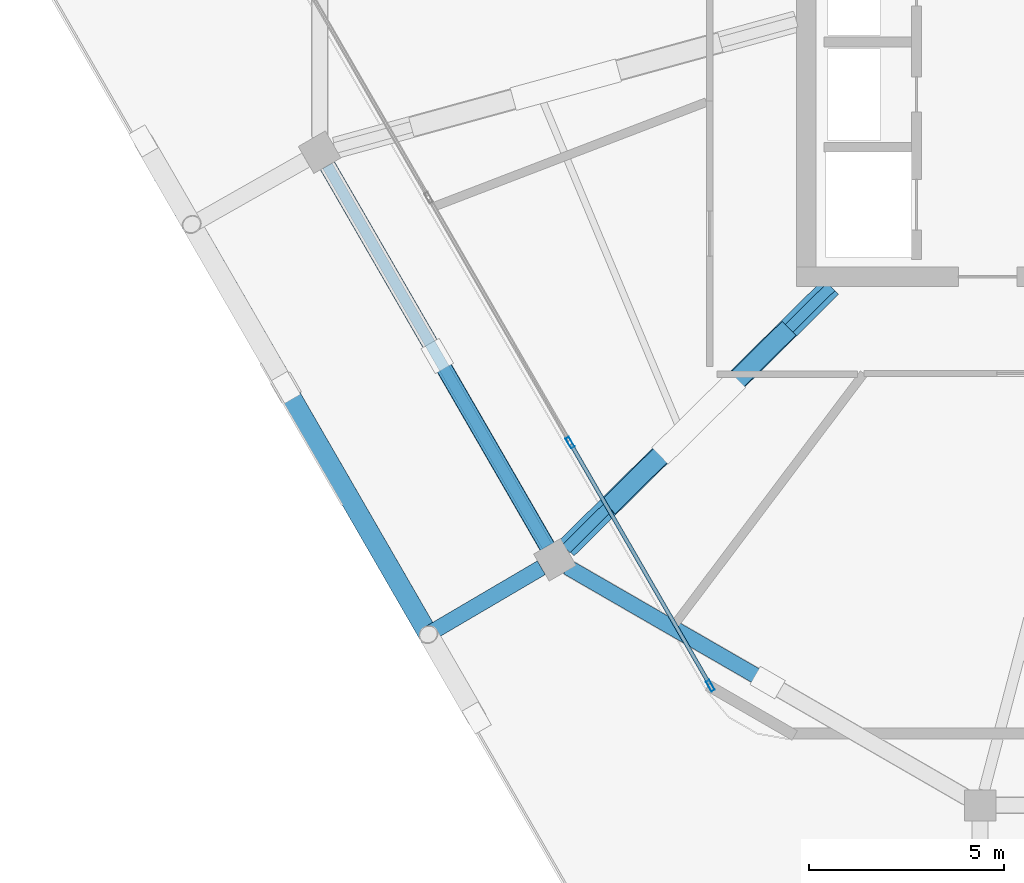
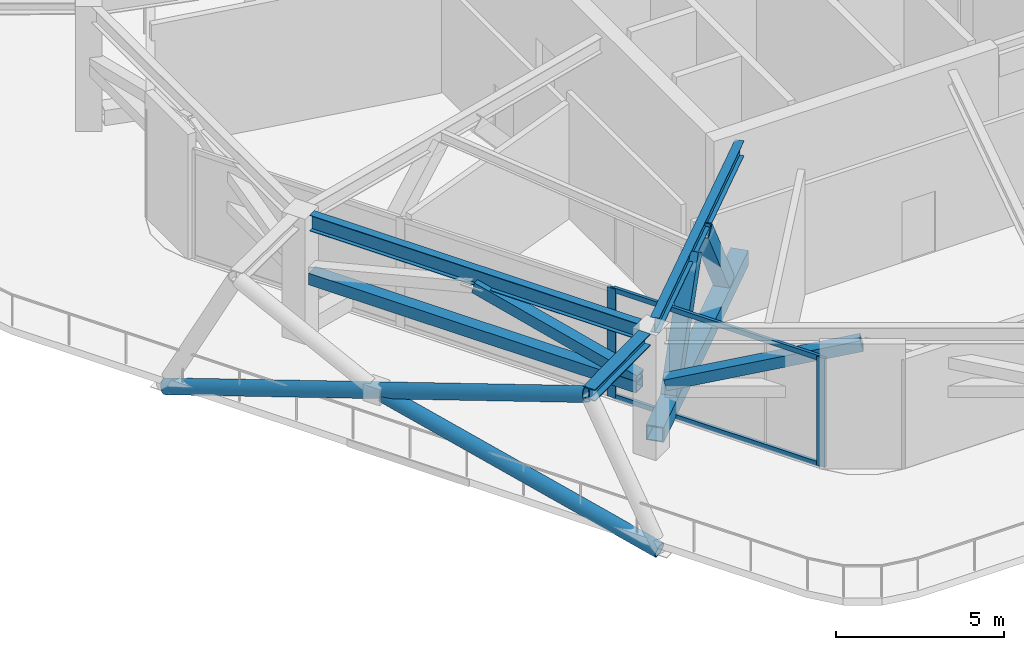
# One storey, part 2 of 19: 12 members, 3 beams, 1 element without a shape of its own.
"""IFC4 building model written with IfcOpenShell, lengths in metres."""

from ifc_helpers import new_model, si_unit, direction, frame, origin, origin_2d, place, context, subcontext, project, spatial, hollow_rectangle, hollow_circle, i_section, extrude, material, material_profile, profile_set, type_object, element, aggregate, save


model = new_model("IFC4")

# Units and contexts
model_context = context("Model", 3, precision=1e-05, world=origin(), true_north=direction((0.0, 1.0)))
body_context = subcontext(model_context, "Body", "Model", "MODEL_VIEW")
ifc_project = project(units=[si_unit("LENGTHUNIT", "METRE"), si_unit("AREAUNIT", "SQUARE_METRE"), si_unit("VOLUMEUNIT", "CUBIC_METRE"), si_unit("PLANEANGLEUNIT", "RADIAN"), si_unit("MASSUNIT", "GRAM", prefix="KILO")], contexts=[model_context])

# Site, building, storey
site_placement = place(None, origin())
site = spatial("IfcSite", under=ifc_project, at=site_placement, CompositionType="ELEMENT")
building_placement = place(site_placement, origin())
building = spatial("IfcBuilding", under=site, at=building_placement, Name="Zuhravey Tower", CompositionType="ELEMENT")
storey_placement = place(building_placement, frame((0.0, 0.0, 303.39990234375)))
storey = spatial("IfcBuildingStorey", under=building, at=storey_placement, Name="L77", CompositionType="ELEMENT", Elevation=303.39990234375)

# Members
ifc_material_1 = material(Name="Steel SM355", Category="steel")
ifc_material_profile_1 = material_profile(ifc_material_1, hollow_rectangle(XDim=0.419921875, YDim=0.419921875, WallThickness=0.028076171875, at=origin_2d()), Name="RHS-420x420x28")
ifc_profile_set_1 = profile_set([ifc_material_profile_1], Name="Steel SM355")
member_type_1 = type_object("IfcMemberType", Name="Belt Truss Chord RHS420x420", PredefinedType="CHORD", material=ifc_profile_set_1)
member_1_placement = place(storey_placement, frame((13.208984375, 25.346923828125, 2.27001953125), z_axis=(0.500007547564, -0.866021046153, 0.0), x_axis=(0.866021046153, 0.500007547564, 0.0)))
element("IfcMember", 1, at=member_1_placement, inside=storey, type_object=member_type_1, Name="L77 Belt Truss Bottom Chord BTC1-06", PredefinedType="CHORD", context=body_context, shape_type="SweptSolid", body=[
    extrude(hollow_rectangle(XDim=0.419921875, YDim=0.419921875, WallThickness=0.028076171875, at=origin_2d()), origin(), (0.0, 0.0, 1.0), 11.267333984375),
])
ifc_material_profile_2 = material_profile(ifc_material_1, hollow_rectangle(XDim=0.39990234375, YDim=0.39990234375, WallThickness=0.02490234375, at=origin_2d()), Name="RHS-400x400x25")
ifc_profile_set_2 = profile_set([ifc_material_profile_2], Name="Steel SM355")
member_type_2 = type_object("IfcMemberType", Name="Belt Truss Diagonal RHS400x400", PredefinedType="BRACE", material=ifc_profile_set_2)
member_2_placement = place(storey_placement, frame((18.83544921875, 15.6015625, 2.493896484375), z_axis=(-0.484407934139, 0.839068272722, 0.247615401488), x_axis=(-0.866038078012, -0.499978046952, 0.0)))
element("IfcMember", 2, at=member_2_placement, inside=storey, type_object=member_type_2, Name="L77 Belt Truss Diagonal BTD1-06.2", PredefinedType="BRACE", context=body_context, shape_type="SweptSolid", body=[
    extrude(hollow_rectangle(XDim=0.39990234375, YDim=0.39990234375, WallThickness=0.02490234375, at=origin_2d()), origin(), (0.0, 0.0, 1.0), 5.77490234375),
])
member_3_placement = place(storey_placement, frame((19.40869140625, 15.028564453125, 2.49365234375), z_axis=(0.841292014948, -0.485764057907, 0.237194067445), x_axis=(0.500033881485, 0.866005841416, 0.0)))
element("IfcMember", 3, at=member_3_placement, inside=storey, type_object=member_type_2, Name="L77 Belt Truss Diagonal BTD1-07.1", PredefinedType="BRACE", context=body_context, shape_type="SweptSolid", body=[
    extrude(hollow_rectangle(XDim=0.39990234375, YDim=0.39990234375, WallThickness=0.02490234375, at=origin_2d()), origin(), (0.0, 0.0, 1.0), 6.030517578125),
])

# Beam
ifc_material_2 = material(Name="Steel SM460", Category="steel")
ifc_material_profile_3 = material_profile(ifc_material_2, i_section(OverallWidth=0.406982421875, OverallDepth=0.427978515625, WebThickness=0.02001953125, FlangeThickness=0.034912109375, at=origin_2d()), Name="H-428x407x20x35")
ifc_profile_set_3 = profile_set([ifc_material_profile_3], Name="Steel SM460")
beam_type_1 = type_object("IfcBeamType", Name="Exoskeleton Node Tie Beam H428x407", PredefinedType="BEAM", material=ifc_profile_set_3)
beam_1_placement = place(storey_placement, frame((18.697021484375, 15.03369140625, 4.336181640625), z_axis=(-0.862181316244, -0.506599820292, 0.0), x_axis=(0.506599820292, -0.862181316244, 0.0)))
element("IfcBeam", 4, at=beam_1_placement, inside=storey, type_object=beam_type_1, Name="L77 Exoskeleton Node Tie NT1-08", PredefinedType="BEAM", context=body_context, shape_type="SweptSolid", body=[
    extrude(i_section(OverallWidth=0.406982421875, OverallDepth=0.427978515625, WebThickness=0.02001953125, FlangeThickness=0.034912109375, at=origin_2d()), origin(), (0.0, 0.0, 1.0), 3.351318359375),
])

# Members
ifc_material_profile_4 = material_profile(ifc_material_1, hollow_circle(Radius=0.25390625, WallThickness=0.02490234375, at=origin_2d()), Name="CHS-508.0x25")
ifc_profile_set_4 = profile_set([ifc_material_profile_4], Name="Steel SM355")
member_type_3 = type_object("IfcMemberType", Name="Exoskeleton Zone 4 Diagrid CHS508x25", PredefinedType="BRACE", material=ifc_profile_set_4)
member_4_placement = place(storey_placement, frame((8.510498046875, 25.945068359375, -0.477783203125), z_axis=(0.47475349049, -0.822297248585, 0.313745690389), x_axis=(0.866025425371, 0.499999962611, 0.0)))
element("IfcMember", 5, at=member_4_placement, inside=storey, type_object=member_type_3, Name="L77 Face 4 Diagrid Brace 2", PredefinedType="BRACE", context=body_context, shape_type="SweptSolid", body=[
    extrude(hollow_circle(Radius=0.25390625, WallThickness=0.02490234375, at=origin_2d()), origin(), (0.0, 0.0, 1.0), 15.292236328125),
])
member_5_placement = place(storey_placement, frame((17.010986328125, 11.2216796875, -0.481689453125), z_axis=(-0.485436423568, 0.840834545016, 0.239475983308), x_axis=(-0.866034157249, -0.499984838248, 0.0)))
element("IfcMember", 6, at=member_5_placement, inside=storey, type_object=member_type_3, Name="L77 Face 4 Split Diagrid Brace 3A", PredefinedType="BRACE", context=body_context, shape_type="SweptSolid", body=[
    extrude(hollow_circle(Radius=0.25390625, WallThickness=0.02490234375, at=origin_2d()), origin(), (0.0, 0.0, 1.0), 9.7890625),
])

# Curtain wall, members
ifc_material_3 = material(Name="Thermally broken anodised aluminium", Category="aluminium")
curtain_wall_type = type_object("IfcCurtainWallType", Name="Sky-Garden Tray Clerestory Curtain Wall CW5", PredefinedType="NOTDEFINED", material=ifc_material_3)
curtain_wall_placement = place(storey_placement, origin())
curtain_wall = element("IfcCurtainWall", 7, at=curtain_wall_placement, inside=storey, type_object=curtain_wall_type, Name="L77 CW5 CW-L77-F4-1", PredefinedType="NOTDEFINED")
ifc_material_4 = material(Name="Anodised aluminium", Category="aluminium")
ifc_material_profile_5 = material_profile(ifc_material_4, hollow_rectangle(XDim=0.10009765625, YDim=0.2900390625, WallThickness=0.006103515625, at=origin_2d()), Name="ALU-RHS-100x290x6")
ifc_profile_set_5 = profile_set([ifc_material_profile_5], Name="Anodised aluminium")
member_type_4 = type_object("IfcMemberType", Name="Heavy Tall-Storey Mullion 100x220", PredefinedType="MULLION", material=ifc_profile_set_5)
member_6_placement = place(storey_placement, frame((23.03564453125, 12.006591796875, 0.0), z_axis=(0.0, 0.0, 1.0), x_axis=(-0.866026059495, -0.499998864274, 0.0)))
member_6 = element("IfcMember", 8, at=member_6_placement, type_object=member_type_4, Name="CW5 mullion 1", PredefinedType="MULLION", context=body_context, shape_type="SweptSolid", body=[
    extrude(hollow_rectangle(XDim=0.10009765625, YDim=0.2900390625, WallThickness=0.006103515625, at=origin_2d()), origin(), (0.0, 0.0, 1.0), 3.97021484375),
])
member_7_placement = place(storey_placement, frame((19.43310546875, 18.246337890625, 0.0), z_axis=(0.0, 0.0, 1.0), x_axis=(-0.866026059495, -0.499998864274, 0.0)))
member_7 = element("IfcMember", 9, at=member_7_placement, type_object=member_type_4, Name="CW5 mullion 2", PredefinedType="MULLION", context=body_context, shape_type="SweptSolid", body=[
    extrude(hollow_rectangle(XDim=0.10009765625, YDim=0.2900390625, WallThickness=0.006103515625, at=origin_2d()), origin(), (0.0, 0.0, 1.0), 3.97021484375),
])

# Members
ifc_material_profile_6 = material_profile(ifc_material_2, hollow_rectangle(XDim=0.550048828125, YDim=0.550048828125, WallThickness=0.034912109375, at=origin_2d()), Name="RHS-550x550x35")
ifc_profile_set_6 = profile_set([ifc_material_profile_6], Name="Steel SM460")
member_type_5 = type_object("IfcMemberType", Name="Outrigger Truss Chord RHS550x550", PredefinedType="CHORD", material=ifc_profile_set_6)
member_8_placement = place(storey_placement, frame((26.131103515625, 22.243408203125, 0.320068359375), z_axis=(-0.711136362331, -0.703054104725, 0.0), x_axis=(0.703054104725, -0.711136362331, 0.0)))
element("IfcMember", 10, at=member_8_placement, inside=storey, type_object=member_type_5, Name="L77 Outrigger Bottom Chord OTC1-06", PredefinedType="CHORD", context=body_context, shape_type="SweptSolid", body=[
    extrude(hollow_rectangle(XDim=0.550048828125, YDim=0.550048828125, WallThickness=0.034912109375, at=origin_2d()), origin(), (0.0, 0.0, 1.0), 9.54541015625),
])
ifc_material_profile_7 = material_profile(ifc_material_2, hollow_rectangle(XDim=0.5, YDim=0.5, WallThickness=0.031982421875, at=origin_2d()), Name="RHS-500x500x32")
ifc_profile_set_7 = profile_set([ifc_material_profile_7], Name="Steel SM460")
member_type_6 = type_object("IfcMemberType", Name="Outrigger Truss Diagonal RHS500x500", PredefinedType="BRACE", material=ifc_profile_set_7)
member_9_placement = place(storey_placement, frame((24.9091796875, 21.035400390625, 0.56005859375), z_axis=(-0.405921296379, -0.401260697734, 0.821107638255), x_axis=(0.70301228968, -0.711177699706, 0.0)))
element("IfcMember", 11, at=member_9_placement, inside=storey, type_object=member_type_6, Name="L77 Outrigger Diagonal OTD1-06.1", PredefinedType="BRACE", context=body_context, shape_type="SweptSolid", body=[
    extrude(hollow_rectangle(XDim=0.5, YDim=0.5, WallThickness=0.031982421875, at=origin_2d()), origin(), (0.0, 0.0, 1.0), 4.347900390625),
])
member_10_placement = place(storey_placement, frame((20.564697265625, 16.740478515625, 0.56005859375), z_axis=(0.405959047329, 0.401298659925, 0.821070421727), x_axis=(-0.70301286089, 0.711177135054, 0.0)))
element("IfcMember", 12, at=member_10_placement, inside=storey, type_object=member_type_6, Name="L77 Outrigger Diagonal OTD1-06.2", PredefinedType="BRACE", context=body_context, shape_type="SweptSolid", body=[
    extrude(hollow_rectangle(XDim=0.5, YDim=0.5, WallThickness=0.031982421875, at=origin_2d()), origin(), (0.0, 0.0, 1.0), 4.34814453125),
])

# Beams
ifc_material_profile_8 = material_profile(ifc_material_1, i_section(OverallWidth=0.280029296875, OverallDepth=0.580078125, WebThickness=0.011962890625, FlangeThickness=0.01904296875, at=origin_2d()), Name="H-580x280x12x19")
ifc_profile_set_8 = profile_set([ifc_material_profile_8], Name="Steel SM355")
beam_type_2 = type_object("IfcBeamType", Name="Perimeter Ring Beam H580x280", PredefinedType="BEAM", material=ifc_profile_set_8)
beam_2_placement = place(storey_placement, frame((13.2080078125, 25.3486328125, 4.260009765625), z_axis=(0.500006198144, -0.866021825255, 0.0), x_axis=(0.866021825255, 0.500006198144, 0.0)))
element("IfcBeam", 13, at=beam_2_placement, inside=storey, type_object=beam_type_2, Name="L77 PB4 BM-L77-PB-07", PredefinedType="BEAM", context=body_context, shape_type="SweptSolid", body=[
    extrude(i_section(OverallWidth=0.280029296875, OverallDepth=0.580078125, WebThickness=0.011962890625, FlangeThickness=0.01904296875, at=origin_2d()), origin(), (0.0, 0.0, 1.0), 11.271240234375),
])
ifc_material_profile_9 = material_profile(ifc_material_1, i_section(OverallWidth=0.280029296875, OverallDepth=0.550048828125, WebThickness=0.010986328125, FlangeThickness=0.01806640625, at=origin_2d()), Name="H-550x280x11x18")
ifc_profile_set_9 = profile_set([ifc_material_profile_9], Name="Steel SM355")
beam_type_3 = type_object("IfcBeamType", Name="Radial Primary Girder H550x280", PredefinedType="BEAM", material=ifc_profile_set_9)
beam_3_placement = place(storey_placement, frame((26.134765625, 22.2470703125, 4.275146484375), z_axis=(-0.711153035666, -0.703037239314, 0.0), x_axis=(0.703037239314, -0.711153035666, 0.0)))
element("IfcBeam", 14, at=beam_3_placement, inside=storey, type_object=beam_type_3, Name="L77 RG4 BM-L77-RAD-08", PredefinedType="BEAM", context=body_context, shape_type="SweptSolid", body=[
    extrude(i_section(OverallWidth=0.280029296875, OverallDepth=0.550048828125, WebThickness=0.010986328125, FlangeThickness=0.01806640625, at=origin_2d()), origin(), (0.0, 0.0, 1.0), 9.566162109375),
])

# Member
ifc_material_profile_10 = material_profile(ifc_material_4, hollow_rectangle(XDim=0.10009765625, YDim=0.179931640625, WallThickness=0.006103515625, at=origin_2d()), Name="ALU-RHS-100x180x6")
ifc_profile_set_10 = profile_set([ifc_material_profile_10], Name="Anodised aluminium")
member_type_7 = type_object("IfcMemberType", Name="Tall-Storey Transom 100x180", PredefinedType="USERDEFINED", material=ifc_profile_set_10)
member_11_placement = place(storey_placement, frame((23.0107421875, 12.050048828125, 0.050048828125), z_axis=(-0.500001060898, 0.866024791274, 0.0), x_axis=(-0.866024791274, -0.500001060898, 0.0)))
member_11 = element("IfcMember", 15, at=member_11_placement, type_object=member_type_7, Name="CW5 transom 1.1", ObjectType="TRANSOM", PredefinedType="USERDEFINED", context=body_context, shape_type="SweptSolid", body=[
    extrude(hollow_rectangle(XDim=0.10009765625, YDim=0.179931640625, WallThickness=0.006103515625, at=origin_2d()), origin(), (0.0, 0.0, 1.0), 7.10498046875),
])

member_12_placement = place(storey_placement, frame((23.0107421875, 12.050048828125, 3.920166015625), z_axis=(-0.500001060898, 0.866024791274, 0.0), x_axis=(-0.866024791274, -0.500001060898, 0.0)))
member_12 = element("IfcMember", 16, at=member_12_placement, type_object=member_type_7, Name="CW5 transom 1.2", ObjectType="TRANSOM", PredefinedType="USERDEFINED", context=body_context, shape_type="SweptSolid", body=[
    extrude(hollow_rectangle(XDim=0.10009765625, YDim=0.179931640625, WallThickness=0.006103515625, at=origin_2d()), origin(), (0.0, 0.0, 1.0), 7.10498046875),
])

aggregate(curtain_wall, [member_6, member_7, member_11, member_12])

save(model, "model.ifc")
